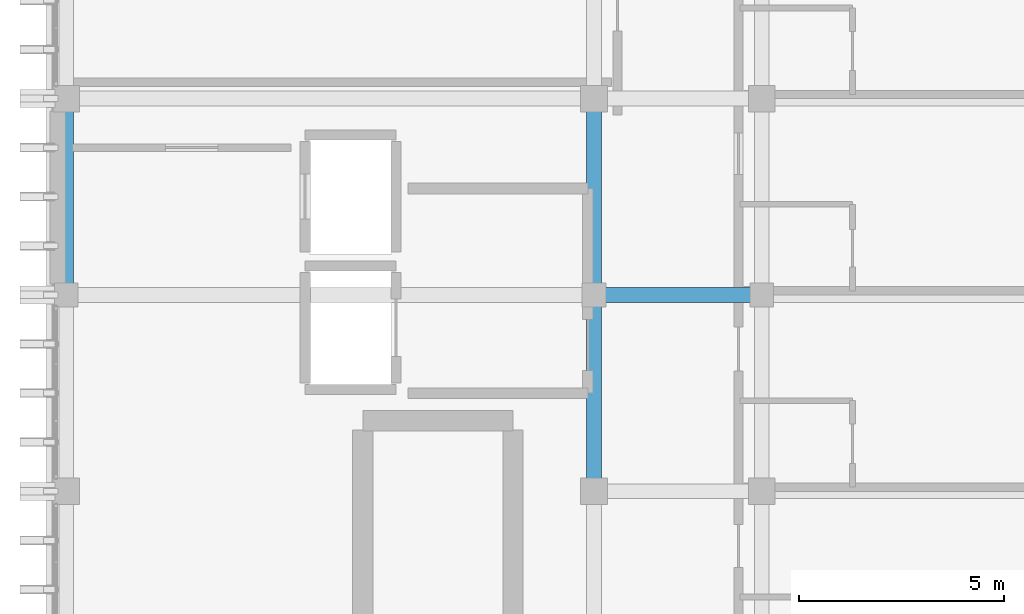
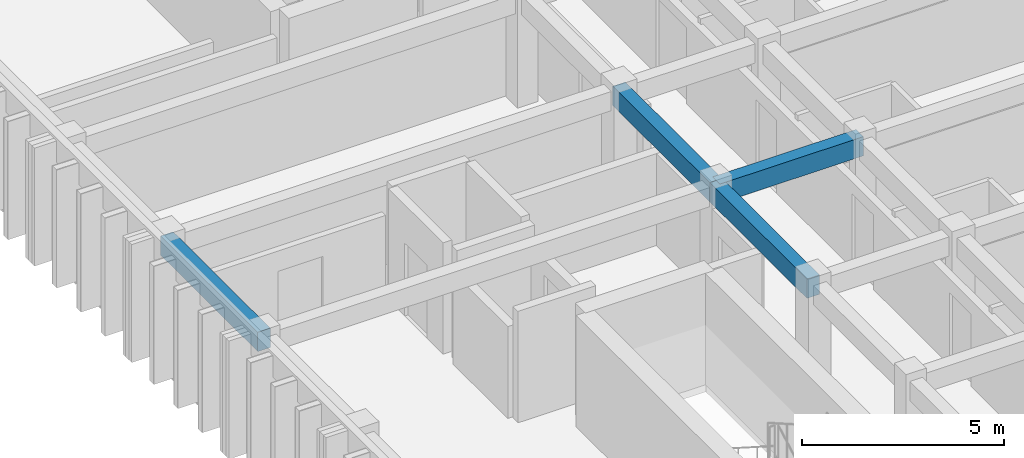
# One storey, part 19 of 49: 4 beams.
"""IFC4 building model written with IfcOpenShell, lengths in metres."""

from ifc_helpers import new_model, si_unit, direction, frame, origin, origin_2d, place, context, subcontext, project, spatial, rectangle, extrude, material, material_profile, profile_set, type_object, element, save


model = new_model("IFC4")

# Units and contexts
model_context = context("Model", 3, precision=1e-05, world=origin(), true_north=direction((0.0, 1.0)))
body_context = subcontext(model_context, "Body", "Model", "MODEL_VIEW")
ifc_project = project(units=[si_unit("LENGTHUNIT", "METRE"), si_unit("AREAUNIT", "SQUARE_METRE"), si_unit("VOLUMEUNIT", "CUBIC_METRE"), si_unit("PLANEANGLEUNIT", "RADIAN"), si_unit("MASSUNIT", "GRAM", prefix="KILO")], contexts=[model_context])

# Site, building, storey
site_placement = place(None, origin())
site = spatial("IfcSite", under=ifc_project, at=site_placement, CompositionType="ELEMENT")
building_placement = place(site_placement, origin())
building = spatial("IfcBuilding", under=site, at=building_placement, Name="Nakhvara Creek Congress Hotel", CompositionType="ELEMENT")
storey_placement = place(building_placement, frame((0.0, 0.0, 39.0)))
storey = spatial("IfcBuildingStorey", under=building, at=storey_placement, Name="L09", CompositionType="ELEMENT", Elevation=39.0)

# Beams
ifc_material = material(Name="Concrete C40/50", Category="concrete")
ifc_material_profile = material_profile(ifc_material, rectangle(XDim=0.360107421875, YDim=0.580078125, at=origin_2d()), Name="RC-BM 360x580", Category="LoadBearing")
ifc_profile_set = profile_set([ifc_material_profile], Name="Concrete C40/50")
beam_type = type_object("IfcBeamType", Name="BM-RC-360X580", PredefinedType="BEAM", material=ifc_profile_set)
for number, where, z_axis, x_axis, name in (
    (1, (149.449951171875, 91.199951171875, 3.070068359375), (0.0, 1.0, 0.0), (-1.0, 0.0, 0.0), "Beam B09-L09-2544"),
    (2, (162.35009765625, 86.39990234375, 3.070068359375), (0.0, 1.0, 0.0), (-1.0, 0.0, 0.0), "Beam B09-L09-2563"),
    (3, (162.35009765625, 91.199951171875, 3.070068359375), (0.0, 1.0, 0.0), (-1.0, 0.0, 0.0), "Beam B09-L09-2565"),
):
    element("IfcBeam", number, at=place(storey_placement, frame(where, z_axis=z_axis, x_axis=x_axis)), inside=storey, type_object=beam_type, Name=name, PredefinedType="BEAM", context=body_context, shape_type="SweptSolid", body=[
        extrude(rectangle(XDim=0.360107421875, YDim=0.580078125, at=origin_2d()), origin(), (0.0, 0.0, 1.0), 4.800048828125),
    ])
beam_placement = place(storey_placement, frame((162.35009765625, 91.199951171875, 3.070068359375), z_axis=(1.0, 0.0, 0.0), x_axis=(0.0, 1.0, 0.0)))
element("IfcBeam", 4, at=beam_placement, inside=storey, type_object=beam_type, Name="Beam B09-L09-2619", PredefinedType="BEAM", context=body_context, shape_type="SweptSolid", body=[
    extrude(rectangle(XDim=0.360107421875, YDim=0.580078125, at=origin_2d()), origin(), (0.0, 0.0, 1.0), 4.099853515625),
])

save(model, "model.ifc")
